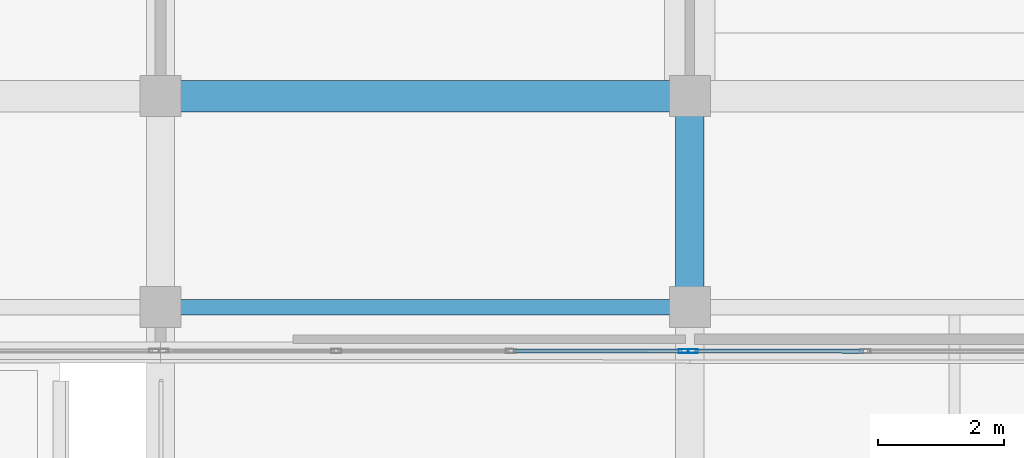
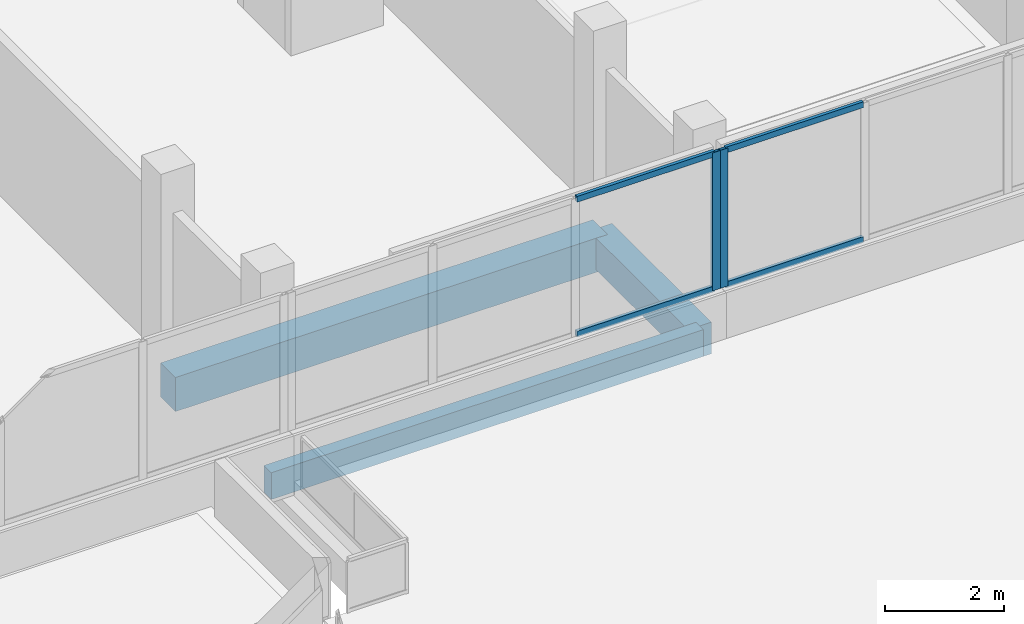
# One storey, part 18 of 78: 6 members, 3 beams, 2 elements without a shape of their own.
"""IFC4 building model written with IfcOpenShell, lengths in metres."""

from ifc_helpers import new_model, si_unit, direction, frame, origin, origin_2d, place, context, subcontext, project, spatial, rectangle, hollow_rectangle, extrude, material, material_profile, profile_set, type_object, element, aggregate, save


model = new_model("IFC4")

# Units and contexts
model_context = context("Model", 3, precision=1e-05, world=origin(), true_north=direction((0.0, 1.0)))
body_context = subcontext(model_context, "Body", "Model", "MODEL_VIEW")
ifc_project = project(units=[si_unit("LENGTHUNIT", "METRE"), si_unit("AREAUNIT", "SQUARE_METRE"), si_unit("VOLUMEUNIT", "CUBIC_METRE"), si_unit("PLANEANGLEUNIT", "RADIAN"), si_unit("MASSUNIT", "GRAM", prefix="KILO")], contexts=[model_context])

# Site, building, storey
site_placement = place(None, origin())
site = spatial("IfcSite", under=ifc_project, at=site_placement, CompositionType="ELEMENT")
building_placement = place(site_placement, origin())
building = spatial("IfcBuilding", under=site, at=building_placement, Name="Selatvlak General Hospital", CompositionType="ELEMENT")
storey_placement = place(building_placement, frame((0.0, 0.0, 23.25)))
storey = spatial("IfcBuildingStorey", under=building, at=storey_placement, Name="L05", CompositionType="ELEMENT", Elevation=23.25)

# Beams
ifc_material_1 = material(Name="Concrete C40/50", Category="concrete")
ifc_material_profile_1 = material_profile(ifc_material_1, rectangle(XDim=0.5, YDim=0.699951171875, at=origin_2d()), Name="RC-BM 500x700")
ifc_profile_set_1 = profile_set([ifc_material_profile_1], Name="Concrete C40/50")
beam_type_1 = type_object("IfcBeamType", Name="BM-G03", PredefinedType="BEAM", material=ifc_profile_set_1)
beam_1_placement = place(storey_placement, frame((115.199951171875, 92.0, -0.6298828125), z_axis=(1.0, 0.0, 0.0), x_axis=(0.0, 1.0, 0.0)))
element("IfcBeam", 1, at=beam_1_placement, inside=storey, type_object=beam_type_1, Name="Beam BMR-L05-1913", PredefinedType="BEAM", context=body_context, shape_type="SweptSolid", body=[
    extrude(rectangle(XDim=0.5, YDim=0.699951171875, at=origin_2d()), origin(), (0.0, 0.0, 1.0), 8.400146484375),
])
ifc_material_profile_2 = material_profile(ifc_material_1, rectangle(XDim=0.449951171875, YDim=0.64990234375, at=origin_2d()), Name="RC-BM 450x650")
ifc_profile_set_2 = profile_set([ifc_material_profile_2], Name="Concrete C40/50")
beam_type_2 = type_object("IfcBeamType", Name="BM-G04", PredefinedType="BEAM", material=ifc_profile_set_2)
beam_2_placement = place(storey_placement, frame((123.60009765625, 88.64990234375, -0.60498046875), z_axis=(0.0, 1.0, 0.0), x_axis=(-1.0, 0.0, 0.0)))
element("IfcBeam", 2, at=beam_2_placement, inside=storey, type_object=beam_type_2, Name="Beam BMR-L05-2051", PredefinedType="BEAM", context=body_context, shape_type="SweptSolid", body=[
    extrude(rectangle(XDim=0.449951171875, YDim=0.64990234375, at=origin_2d()), origin(), (0.0, 0.0, 1.0), 3.35009765625),
])
ifc_material_profile_3 = material_profile(ifc_material_1, rectangle(XDim=0.25, YDim=0.550048828125, at=origin_2d()), Name="RC-SP 250x550")
ifc_profile_set_3 = profile_set([ifc_material_profile_3], Name="Concrete C40/50")
beam_type_3 = type_object("IfcBeamType", Name="BM-SP2", PredefinedType="SPANDREL", material=ifc_profile_set_3)
beam_3_placement = place(storey_placement, frame((115.199951171875, 88.64990234375, -0.554931640625), z_axis=(1.0, 0.0, 0.0), x_axis=(0.0, 1.0, 0.0)))
element("IfcBeam", 3, at=beam_3_placement, inside=storey, type_object=beam_type_3, Name="Beam BMR-L05-1893", PredefinedType="SPANDREL", context=body_context, shape_type="SweptSolid", body=[
    extrude(rectangle(XDim=0.25, YDim=0.550048828125, at=origin_2d()), origin(), (0.0, 0.0, 1.0), 8.400146484375),
])

# Curtain wall, member
ifc_material_2 = material(Name="Solar-control Low-E double glazing", Category="glass")
curtain_wall_type_1 = type_object("IfcCurtainWallType", Name="CW-CW-01", PredefinedType="USERDEFINED", material=ifc_material_2)
curtain_wall_1_placement = place(storey_placement, origin())
curtain_wall_1 = element("IfcCurtainWall", 4, at=curtain_wall_1_placement, inside=storey, type_object=curtain_wall_type_1, Name="Glazed facade curtain wall CW-L05-0581", ObjectType="UNITISED CURTAIN WALL", PredefinedType="USERDEFINED")
ifc_material_3 = material(Name="Dark anodised aluminium mullion", Category="aluminium")
ifc_material_profile_4 = material_profile(ifc_material_3, hollow_rectangle(XDim=0.06494140625, YDim=0.159912109375, WallThickness=0.00390625, at=origin_2d()), Name="AL-MUL 65x160x4")
ifc_profile_set_4 = profile_set([ifc_material_profile_4], Name="Dark anodised aluminium mullion")
member_type_1 = type_object("IfcMemberType", Name="CWM-01", PredefinedType="MULLION", material=ifc_profile_set_4)
member_1_placement = place(storey_placement, frame((123.6474609375, 87.951904296875, 0.93994140625), z_axis=(0.0, 0.0, 1.0), x_axis=(-0.00048076918, -0.99999988443, 0.0)))
member_1 = element("IfcMember", 5, at=member_1_placement, type_object=member_type_1, Name="CW-01 mullion 4", PredefinedType="MULLION", context=body_context, shape_type="SweptSolid", body=[
    extrude(hollow_rectangle(XDim=0.06494140625, YDim=0.159912109375, WallThickness=0.00390625, at=origin_2d()), origin(), (0.0, 0.0, 1.0), 2.8349609375),
])

curtain_wall_type_2 = type_object("IfcCurtainWallType", Name="CW-CW-02", PredefinedType="USERDEFINED", material=ifc_material_2)
curtain_wall_2_placement = place(storey_placement, origin())
curtain_wall_2 = element("IfcCurtainWall", 6, at=curtain_wall_2_placement, inside=storey, type_object=curtain_wall_type_2, Name="Glazed facade curtain wall CW-L05-0582", ObjectType="UNITISED CURTAIN WALL", PredefinedType="USERDEFINED")
member_2_placement = place(storey_placement, frame((123.50244140625, 87.951904296875, 0.93994140625), z_axis=(0.0, 0.0, 1.0), x_axis=(-0.00048076918, -0.99999988443, 0.0)))
member_2 = element("IfcMember", 7, at=member_2_placement, type_object=member_type_1, Name="CW-02 mullion 1", PredefinedType="MULLION", context=body_context, shape_type="SweptSolid", body=[
    extrude(hollow_rectangle(XDim=0.06494140625, YDim=0.159912109375, WallThickness=0.00390625, at=origin_2d()), origin(), (0.0, 0.0, 1.0), 2.8349609375),
])

# Member
ifc_material_profile_5 = material_profile(ifc_material_3, hollow_rectangle(XDim=0.06494140625, YDim=0.1201171875, WallThickness=0.00390625, at=origin_2d()), Name="AL-TRN 65x120x4")
ifc_profile_set_5 = profile_set([ifc_material_profile_5], Name="Dark anodised aluminium mullion")
member_type_2 = type_object("IfcMemberType", Name="CWT-01", PredefinedType="USERDEFINED", material=ifc_profile_set_5)
member_3_placement = place(storey_placement, frame((126.355712890625, 87.95068359375, 0.972412109375), z_axis=(-0.999999895939, 0.000456204332, 0.0), x_axis=(-0.000456204332, -0.999999895939, 0.0)))
member_3 = element("IfcMember", 8, at=member_3_placement, type_object=member_type_2, Name="CW-01 transom 3.1", ObjectType="TRANSOM", PredefinedType="USERDEFINED", context=body_context, shape_type="SweptSolid", body=[
    extrude(hollow_rectangle(XDim=0.06494140625, YDim=0.1201171875, WallThickness=0.00390625, at=origin_2d()), origin(), (0.0, 0.0, 1.0), 2.67578125),
])

member_4_placement = place(storey_placement, frame((126.355712890625, 87.95068359375, 3.742431640625), z_axis=(-0.999999895939, 0.000456204332, 0.0), x_axis=(-0.000456204332, -0.999999895939, 0.0)))
member_4 = element("IfcMember", 9, at=member_4_placement, type_object=member_type_2, Name="CW-01 transom 3.2", ObjectType="TRANSOM", PredefinedType="USERDEFINED", context=body_context, shape_type="SweptSolid", body=[
    extrude(hollow_rectangle(XDim=0.06494140625, YDim=0.1201171875, WallThickness=0.00390625, at=origin_2d()), origin(), (0.0, 0.0, 1.0), 2.67578125),
])

aggregate(curtain_wall_1, [member_1, member_3, member_4])

member_5_placement = place(storey_placement, frame((123.469970703125, 87.9521484375, 0.972412109375), z_axis=(-0.999999895939, 0.000456204332, 0.0), x_axis=(-0.000456204332, -0.999999895939, 0.0)))
member_5 = element("IfcMember", 10, at=member_5_placement, type_object=member_type_2, Name="CW-02 transom 1.1", ObjectType="TRANSOM", PredefinedType="USERDEFINED", context=body_context, shape_type="SweptSolid", body=[
    extrude(hollow_rectangle(XDim=0.06494140625, YDim=0.1201171875, WallThickness=0.00390625, at=origin_2d()), origin(), (0.0, 0.0, 1.0), 2.67578125),
])

member_6_placement = place(storey_placement, frame((123.469970703125, 87.9521484375, 3.742431640625), z_axis=(-0.999999895939, 0.000456204332, 0.0), x_axis=(-0.000456204332, -0.999999895939, 0.0)))
member_6 = element("IfcMember", 11, at=member_6_placement, type_object=member_type_2, Name="CW-02 transom 1.2", ObjectType="TRANSOM", PredefinedType="USERDEFINED", context=body_context, shape_type="SweptSolid", body=[
    extrude(hollow_rectangle(XDim=0.06494140625, YDim=0.1201171875, WallThickness=0.00390625, at=origin_2d()), origin(), (0.0, 0.0, 1.0), 2.67578125),
])

aggregate(curtain_wall_2, [member_2, member_5, member_6])

save(model, "model.ifc")
